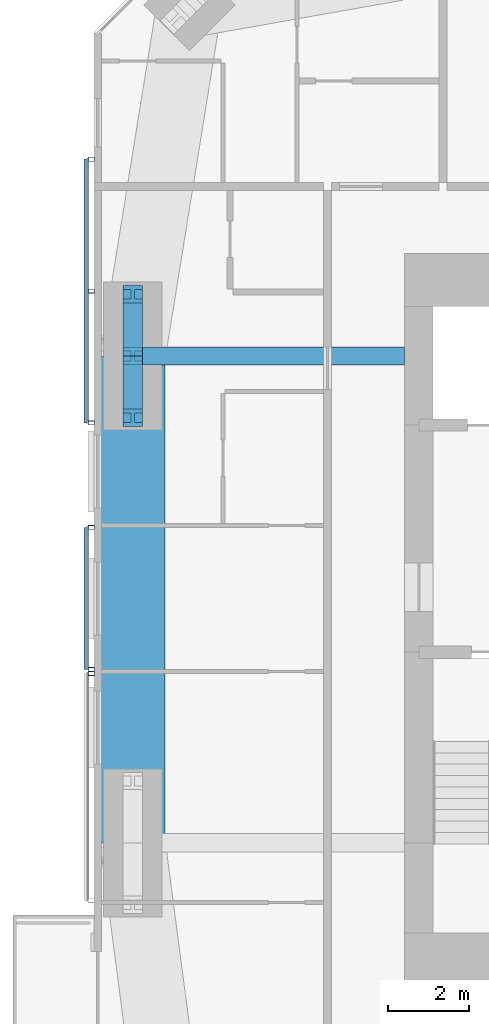
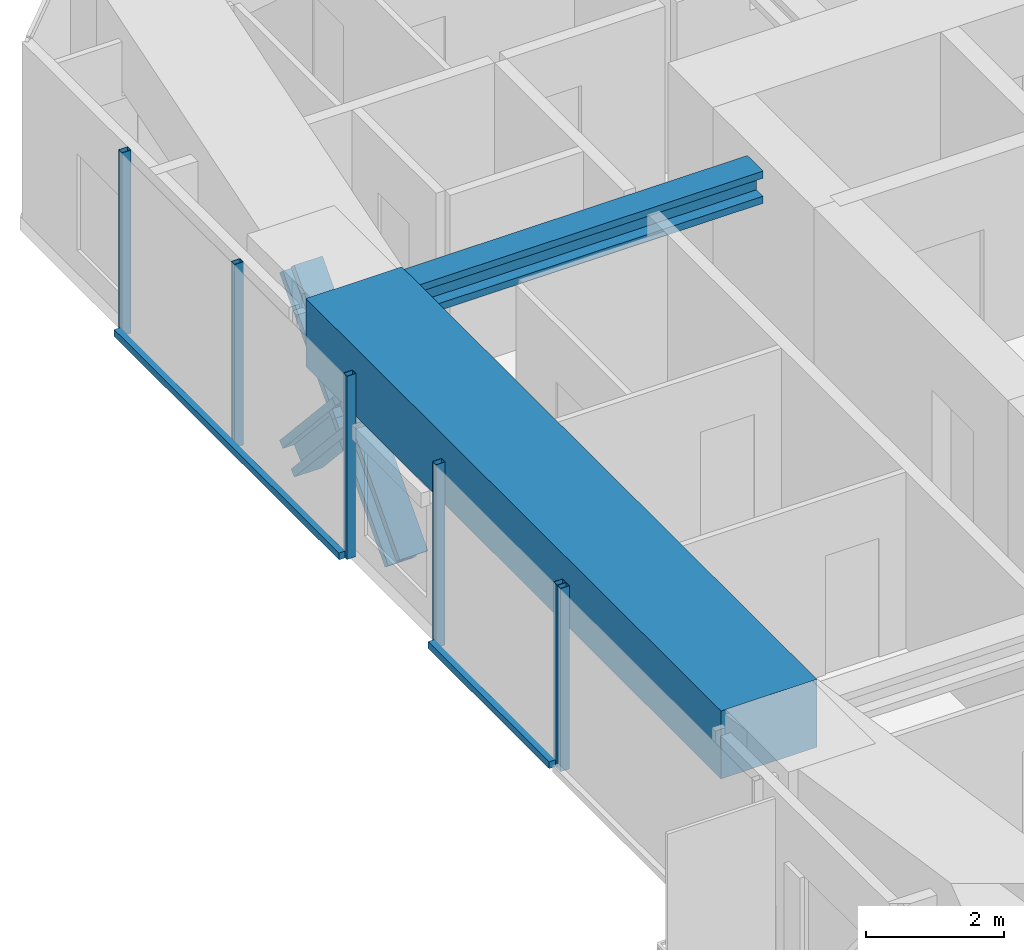
# One storey, part 6 of 23: 12 members, 2 beams, 3 elements without a shape of their own.
"""IFC4 building model written with IfcOpenShell, lengths in metres."""

import ifcopenshell
import ifcopenshell.guid

model = None  # the IFC model being written
_history = None  # IfcOwnerHistory: only IFC2X3 demands one
_inside = {}  # id of a spatial element -> (the spatial element, [elements in it])
_under = {}  # id of a project, library or spatial element -> (it, [spatial elements below it])
_declared = {}  # id of a project -> (the project, [libraries it declares])
_typed = {}  # id of a type object -> (the type object, [elements of that type])
_made_of = {}  # id of a material, layer set ... -> (it, [elements and type objects made of it])


def new_model(schema):
    """Start an empty IFC model of exactly this schema.

    Asked for "IFC4X3", IfcOpenShell would pick the latest addendum, in which some entities
    have other attributes; the version numbers below select the first issue.
    IFC2X3 requires an IfcOwnerHistory on every rooted entity: one is made here for all.
    """
    global model, _history
    if schema == "IFC4X3":
        model = ifcopenshell.file(schema_version=(4, 3, 0, 0))
    else:
        model = ifcopenshell.file(schema=schema)
    _inside.clear()
    _under.clear()
    _declared.clear()
    _typed.clear()
    _made_of.clear()
    _history = None
    if model.schema == "IFC2X3":
        org = make("IfcOrganization", Name="unknown")
        user = make(
            "IfcPersonAndOrganization",
            ThePerson=make("IfcPerson", FamilyName="unknown"),
            TheOrganization=org,
        )
        app = make(
            "IfcApplication",
            ApplicationDeveloper=org,
            Version="unknown",
            ApplicationFullName="unknown",
            ApplicationIdentifier="unknown",
        )
        _history = make(
            "IfcOwnerHistory",
            OwningUser=user,
            OwningApplication=app,
            ChangeAction="ADDED",
            CreationDate=0,
        )
    return model


def make(cls, **values):
    """One entity of the class cls with the attributes given. An attribute that is None is left unset."""
    return model.create_entity(
        cls, **{name: value for name, value in values.items() if value is not None}
    )


def rooted(cls, **values):
    """An entity with a GlobalId (a new one), such as an element, a storey or a relation."""
    return make(cls, GlobalId=ifcopenshell.guid.new(), OwnerHistory=_history, **values)


def si_unit(unit_type, name, prefix=None):
    """IfcSIUnit, for example si_unit("LENGTHUNIT", "METRE", prefix="MILLI")."""
    return make("IfcSIUnit", UnitType=unit_type, Prefix=prefix, Name=name)


def assignment(units):
    """IfcUnitAssignment: the units of a project."""
    return None if units is None else make("IfcUnitAssignment", Units=units)


def point(xyz):
    """IfcCartesianPoint."""
    return None if xyz is None else make("IfcCartesianPoint", Coordinates=xyz)


def direction(xyz):
    """IfcDirection."""
    return None if xyz is None else make("IfcDirection", DirectionRatios=xyz)


def frame(location, z_axis=None, x_axis=None):
    """IfcAxis2Placement3D, a coordinate frame: its origin and axes. An axis left out is left unset."""
    return make(
        "IfcAxis2Placement3D",
        Location=point(location),
        Axis=direction(z_axis),
        RefDirection=direction(x_axis),
    )


def frame_2d(location, x_axis=None):
    """IfcAxis2Placement2D, a coordinate frame in the plane: its origin and x axis."""
    return make(
        "IfcAxis2Placement2D", Location=point(location), RefDirection=direction(x_axis)
    )


def origin():
    """The frame at (0, 0, 0) with its axes left unset."""
    return frame((0.0, 0.0, 0.0))


def origin_2d():
    """The frame at (0, 0) in the plane with its x axis left unset."""
    return frame_2d((0.0, 0.0))


def place(relative_to, where):
    """IfcLocalPlacement: puts the frame where relative to a parent placement (None: the world)."""
    return make(
        "IfcLocalPlacement", PlacementRelTo=relative_to, RelativePlacement=where
    )


def context(
    kind, dimensions, precision=None, world=None, true_north=None, identifier=None
):
    """IfcGeometricRepresentationContext, for example the 3D "Model" context."""
    return make(
        "IfcGeometricRepresentationContext",
        ContextIdentifier=identifier,
        ContextType=kind,
        CoordinateSpaceDimension=dimensions,
        Precision=precision,
        WorldCoordinateSystem=world,
        TrueNorth=true_north,
    )


def subcontext(parent, identifier, kind, view, scale=None):
    """IfcGeometricRepresentationSubContext, for example "Body" below "Model"."""
    return make(
        "IfcGeometricRepresentationSubContext",
        ContextIdentifier=identifier,
        ContextType=kind,
        ParentContext=parent,
        TargetScale=scale,
        TargetView=view,
    )


def project(units=None, contexts=None):
    """IfcProject with its units and contexts."""
    return rooted(
        "IfcProject",
        Name="project",
        RepresentationContexts=contexts,
        UnitsInContext=assignment(units),
    )


def spatial(cls, under=None, at=None, **own):
    """A site, building, storey or space (cls), placed at a placement, below another one or the project."""
    s = rooted(cls, ObjectPlacement=at, **own)
    if under is not None:
        _under.setdefault(under.id(), (under, []))[1].append(s)
    return s


def profile(cls, at=None, kind="AREA", **sizes):
    """A parametric profile (cls). Its sizes go by their IFC names, for example OverallWidth=200.0."""
    return make(cls, ProfileType=kind, Position=at, **sizes)


def rectangle(**sizes):
    """IfcRectangleProfileDef."""
    return profile("IfcRectangleProfileDef", **sizes)


def hollow_rectangle(**sizes):
    """IfcRectangleHollowProfileDef."""
    return profile("IfcRectangleHollowProfileDef", **sizes)


def i_section(**sizes):
    """IfcIShapeProfileDef."""
    return profile("IfcIShapeProfileDef", **sizes)


def extrude(swept, where, along, depth):
    """IfcExtrudedAreaSolid: the profile swept, set in the frame where, extruded along a direction by depth."""
    return make(
        "IfcExtrudedAreaSolid",
        SweptArea=swept,
        Position=where,
        ExtrudedDirection=direction(along),
        Depth=depth,
    )


def shape(context_of_items, identifier, shape_type, items):
    """IfcShapeRepresentation: the items that make up one representation, for example the "Body"."""
    return make(
        "IfcShapeRepresentation",
        ContextOfItems=context_of_items,
        RepresentationIdentifier=identifier,
        RepresentationType=shape_type,
        Items=items,
    )


def material(Name=None, Category=None):
    """IfcMaterial."""
    return make("IfcMaterial", Name=Name, Category=Category)


def material_profile(
    of_material, cross_section, Name=None, Category=None, Priority=None
):
    """IfcMaterialProfile: a cross section and its material."""
    return make(
        "IfcMaterialProfile",
        Name=Name,
        Material=of_material,
        Profile=cross_section,
        Priority=Priority,
        Category=Category,
    )


def profile_set(profiles, Name=None, composite=None):
    """IfcMaterialProfileSet."""
    return make(
        "IfcMaterialProfileSet",
        Name=Name,
        MaterialProfiles=profiles,
        CompositeProfile=composite,
    )


def made_of(thing, what):
    """Note that an element or type object is made of a material, layer set ...; save() writes the relation."""
    if what is not None:
        _made_of.setdefault(what.id(), (what, []))[1].append(thing)
    return thing


def type_object(cls, material=None, **own):
    """A type object (cls), such as IfcWallType, which elements share."""
    return made_of(rooted(cls, **own), material)


def element(
    cls,
    number,
    at=None,
    inside=None,
    cuts=None,
    type_object=None,
    material=None,
    context=None,
    identifier="Body",
    shape_type=None,
    held_by="IfcProductDefinitionShape",
    body=None,
    shapes=None,
    **own,
):
    """One element of the class cls, such as IfcWall. Its Tag is "e" and its number.

    at: its placement. inside: the storey or other place that contains it. cuts: it is an
    opening in that element (IfcRelVoidsElement). A single representation is given by context,
    identifier, shape_type and body (its items); several are given by shapes. held_by: the class
    of the entity that holds the representations. save() writes the other relations.
    """
    e = rooted(cls, Tag="e%d" % number, ObjectPlacement=at, **own)
    if body is not None:
        shapes = [shape(context, identifier, shape_type, body)]
    if shapes is not None:
        e.Representation = make(held_by, Representations=shapes)
    if inside is not None:
        _inside.setdefault(inside.id(), (inside, []))[1].append(e)
    if cuts is not None:
        rooted(
            "IfcRelVoidsElement", RelatingBuildingElement=cuts, RelatedOpeningElement=e
        )
    if type_object is not None:
        _typed.setdefault(type_object.id(), (type_object, []))[1].append(e)
    return made_of(e, material)


def aggregate(whole, parts):
    """IfcRelAggregates: a whole, such as a stair, and the parts it consists of."""
    return rooted("IfcRelAggregates", RelatingObject=whole, RelatedObjects=parts)


def save(model, path):
    """Write the relations noted so far, then the file.

    IfcRelAggregates (storeys below a building ...), IfcRelContainedInSpatialStructure (elements
    in a storey), IfcRelDefinesByType, IfcRelAssociatesMaterial and IfcRelDeclares: one each for
    every whole, place, type object, material and project.
    """
    for whole, parts in _under.values():
        aggregate(whole, parts)
    for where, things in _inside.values():
        rooted(
            "IfcRelContainedInSpatialStructure",
            RelatedElements=things,
            RelatingStructure=where,
        )
    for kind, things in _typed.values():
        rooted("IfcRelDefinesByType", RelatedObjects=things, RelatingType=kind)
    for what, things in _made_of.values():
        rooted("IfcRelAssociatesMaterial", RelatedObjects=things, RelatingMaterial=what)
    for by, libraries in _declared.values():
        rooted("IfcRelDeclares", RelatingContext=by, RelatedDefinitions=libraries)
    model.write(path)


model = new_model("IFC4")

# Units and contexts
model_context = context("Model", 3, precision=1e-05, world=origin(), true_north=direction((0.0, 1.0)))
body_context = subcontext(model_context, "Body", "Model", "MODEL_VIEW")
ifc_project = project(units=[si_unit("LENGTHUNIT", "METRE"), si_unit("AREAUNIT", "SQUARE_METRE"), si_unit("VOLUMEUNIT", "CUBIC_METRE"), si_unit("PLANEANGLEUNIT", "RADIAN"), si_unit("MASSUNIT", "GRAM", prefix="KILO")], contexts=[model_context])

# Site, building, storey
site_placement = place(None, origin())
site = spatial("IfcSite", under=ifc_project, at=site_placement, CompositionType="ELEMENT")
building_placement = place(site_placement, origin())
building = spatial("IfcBuilding", under=site, at=building_placement, Name="Jalousie Tower", CompositionType="ELEMENT")
storey_placement = place(building_placement, frame((0.0, 0.0, 184.5)))
storey = spatial("IfcBuildingStorey", under=building, at=storey_placement, Name="L50", CompositionType="ELEMENT", Elevation=184.5)

# Beam
ifc_material_1 = material(Name="Steel ASTM A992 Grade 50", Category="steel")
ifc_material_profile_1 = material_profile(ifc_material_1, i_section(OverallWidth=0.45458984375, OverallDepth=0.569091796875, WebThickness=0.077880859375, FlangeThickness=0.124755859375, at=origin_2d()), Name="W14X730")
ifc_profile_set_1 = profile_set([ifc_material_profile_1], Name="Steel ASTM A992 Grade 50")
beam_type_1 = type_object("IfcBeamType", Name="LEAN COLLECTOR W14X730", PredefinedType="BEAM", material=ifc_profile_set_1)
beam_1_placement = place(storey_placement, frame((12.949951171875, 25.0, 2.825439453125), z_axis=(1.0, 0.0, 0.0), x_axis=(0.0, 1.0, 0.0)))
element("IfcBeam", 1, at=beam_1_placement, inside=storey, type_object=beam_type_1, Name="Lean collector under L51", PredefinedType="BEAM", context=body_context, shape_type="SweptSolid", body=[
    extrude(i_section(OverallWidth=0.45458984375, OverallDepth=0.569091796875, WebThickness=0.077880859375, FlangeThickness=0.124755859375, at=origin_2d()), origin(), (0.0, 0.0, 1.0), 6.699951171875),
])

# Members
ifc_material_2 = material(Name="Steel ASTM A992 Grade 50", Category="steel")
ifc_material_profile_2 = material_profile(ifc_material_2, i_section(OverallWidth=0.472412109375, OverallDepth=0.5791015625, WebThickness=0.094970703125, FlangeThickness=0.1298828125, at=origin_2d()), Name="W14X808")
ifc_profile_set_2 = profile_set([ifc_material_profile_2], Name="Steel ASTM A992 Grade 50")
member_type_1 = type_object("IfcMemberType", Name="PERIMETER BRACE W14X808", PredefinedType="BRACE", material=ifc_profile_set_2)
for number, where, z_axis, x_axis, name in (
    (2, (12.949951171875, 23.47509765625, -0.60009765625), (0.0, 0.673187629365, 0.739471713908), (-1.0, 0.0, 0.0), "Perimeter brace 13 L50 part 1"),
    (3, (12.949951171875, 25.0, 1.074951171875), (0.0, 0.673187629365, 0.739471713908), (-1.0, 0.0, 0.0), "Perimeter brace 13 L50 part 2"),
    (4, (12.949951171875, 26.52490234375, -0.60009765625), (0.0, -0.673187629365, 0.739471713908), (1.0, 0.0, 0.0), "Perimeter brace 13 L50 part 3"),
    (5, (12.949951171875, 25.0, 1.074951171875), (0.0, -0.673187629365, 0.739471713908), (1.0, 0.0, 0.0), "Perimeter brace 13 L50 part 4"),
):
    element("IfcMember", number, at=place(storey_placement, frame(where, z_axis=z_axis, x_axis=x_axis)), inside=storey, type_object=member_type_1, Name=name, PredefinedType="BRACE", context=body_context, shape_type="SweptSolid", body=[
        extrude(i_section(OverallWidth=0.472412109375, OverallDepth=0.5791015625, WebThickness=0.094970703125, FlangeThickness=0.1298828125, at=origin_2d()), origin(), (0.0, 0.0, 1.0), 2.26513671875),
    ])

# Beam
ifc_material_3 = material(Name="Concrete f'c 40 MPa", Category="concrete")
ifc_material_profile_3 = material_profile(ifc_material_3, rectangle(XDim=1.60009765625, YDim=1.199951171875, at=origin_2d()), Name="RC 1600x1200")
ifc_profile_set_3 = profile_set([ifc_material_profile_3], Name="Concrete f'c 40 MPa")
beam_type_2 = type_object("IfcBeamType", Name="RC BEAM 1600x1200", PredefinedType="BEAM", material=ifc_profile_set_3)
beam_2_placement = place(storey_placement, frame((12.949951171875, 25.0, 2.75), z_axis=(0.0, -1.0, 0.0), x_axis=(1.0, 0.0, 0.0)))
element("IfcBeam", 6, at=beam_2_placement, inside=storey, type_object=beam_type_2, Name="Edge band beam 13-14 under L51", PredefinedType="BEAM", context=body_context, shape_type="SweptSolid", body=[
    extrude(rectangle(XDim=1.60009765625, YDim=1.199951171875, at=origin_2d()), origin(), (0.0, 0.0, 1.0), 12.0),
])

# Curtain wall, members
ifc_material_4 = material(Name="Perforated aluminium sheet", Category="aluminium")
curtain_wall_type = type_object("IfcCurtainWallType", Name="SOLAR SCREEN SS-1", PredefinedType="USERDEFINED", material=ifc_material_4)
curtain_wall_1_placement = place(storey_placement, origin())
curtain_wall_1 = element("IfcCurtainWall", 7, at=curtain_wall_1_placement, inside=storey, type_object=curtain_wall_type, Name="Solar screen L50", ObjectType="SOLAR SCREEN SS-1", PredefinedType="USERDEFINED")
ifc_material_5 = material(Name="Steel ASTM A500 Grade C", Category="steel")
ifc_material_profile_4 = material_profile(ifc_material_5, hollow_rectangle(XDim=0.1015625, YDim=0.15234375, WallThickness=0.00634765625, at=origin_2d()), Name="HSS6X4X1/4")
ifc_profile_set_4 = profile_set([ifc_material_profile_4], Name="Steel ASTM A500 Grade C")
member_type_2 = type_object("IfcMemberType", Name="SOLAR SCREEN SS-1 MULLION", PredefinedType="MULLION", material=ifc_profile_set_4)
member_1_placement = place(storey_placement, frame((11.9287109375, 29.85009765625, -0.1201171875), z_axis=(0.0, 0.0, 1.0), x_axis=(0.0, -1.0, 0.0)))
member_1 = element("IfcMember", 8, at=member_1_placement, type_object=member_type_2, Name="SS1 post 1", PredefinedType="MULLION", context=body_context, shape_type="SweptSolid", body=[
    extrude(hollow_rectangle(XDim=0.1015625, YDim=0.15234375, WallThickness=0.00634765625, at=origin_2d()), origin(), (0.0, 0.0, 1.0), 3.230224609375),
])
member_2_placement = place(storey_placement, frame((11.9287109375, 26.60009765625, -0.1201171875), z_axis=(0.0, 0.0, 1.0), x_axis=(0.0, -1.0, 0.0)))
member_2 = element("IfcMember", 9, at=member_2_placement, type_object=member_type_2, Name="SS1 post 2", PredefinedType="MULLION", context=body_context, shape_type="SweptSolid", body=[
    extrude(hollow_rectangle(XDim=0.1015625, YDim=0.15234375, WallThickness=0.00634765625, at=origin_2d()), origin(), (0.0, 0.0, 1.0), 3.230224609375),
])
member_3_placement = place(storey_placement, frame((11.9287109375, 23.35009765625, -0.1201171875), z_axis=(0.0, 0.0, 1.0), x_axis=(0.0, -1.0, 0.0)))
member_3 = element("IfcMember", 10, at=member_3_placement, type_object=member_type_2, Name="SS1 post 3", PredefinedType="MULLION", context=body_context, shape_type="SweptSolid", body=[
    extrude(hollow_rectangle(XDim=0.1015625, YDim=0.15234375, WallThickness=0.00634765625, at=origin_2d()), origin(), (0.0, 0.0, 1.0), 3.230224609375),
])

curtain_wall_2_placement = place(storey_placement, origin())
curtain_wall_2 = element("IfcCurtainWall", 11, at=curtain_wall_2_placement, inside=storey, type_object=curtain_wall_type, Name="Solar screen L50", ObjectType="SOLAR SCREEN SS-1", PredefinedType="USERDEFINED")
member_4_placement = place(storey_placement, frame((11.9287109375, 20.77490234375, -0.1201171875), z_axis=(0.0, 0.0, 1.0), x_axis=(0.0, -1.0, 0.0)))
member_4 = element("IfcMember", 12, at=member_4_placement, type_object=member_type_2, Name="SS1 post 1", PredefinedType="MULLION", context=body_context, shape_type="SweptSolid", body=[
    extrude(hollow_rectangle(XDim=0.1015625, YDim=0.15234375, WallThickness=0.00634765625, at=origin_2d()), origin(), (0.0, 0.0, 1.0), 3.230224609375),
])
member_5_placement = place(storey_placement, frame((11.9287109375, 17.27490234375, -0.1201171875), z_axis=(0.0, 0.0, 1.0), x_axis=(0.0, -1.0, 0.0)))
member_5 = element("IfcMember", 13, at=member_5_placement, type_object=member_type_2, Name="SS1 post 2", PredefinedType="MULLION", context=body_context, shape_type="SweptSolid", body=[
    extrude(hollow_rectangle(XDim=0.1015625, YDim=0.15234375, WallThickness=0.00634765625, at=origin_2d()), origin(), (0.0, 0.0, 1.0), 3.230224609375),
])

# Curtain wall, member
curtain_wall_3_placement = place(storey_placement, origin())
curtain_wall_3 = element("IfcCurtainWall", 14, at=curtain_wall_3_placement, inside=storey, type_object=curtain_wall_type, Name="Solar screen L50", ObjectType="SOLAR SCREEN SS-1", PredefinedType="USERDEFINED")
member_6_placement = place(storey_placement, frame((11.9287109375, 17.175048828125, -0.1201171875), z_axis=(0.0, 0.0, 1.0), x_axis=(0.0, -1.0, 0.0)))
member_6 = element("IfcMember", 15, at=member_6_placement, type_object=member_type_2, Name="SS1 post 1", PredefinedType="MULLION", context=body_context, shape_type="SweptSolid", body=[
    extrude(hollow_rectangle(XDim=0.1015625, YDim=0.15234375, WallThickness=0.00634765625, at=origin_2d()), origin(), (0.0, 0.0, 1.0), 3.230224609375),
])
aggregate(curtain_wall_3, [member_6])

# Member
ifc_material_6 = material(Name="Extruded aluminium screen rail", Category="aluminium")
ifc_material_profile_5 = material_profile(ifc_material_6, rectangle(XDim=0.1015625, YDim=0.1201171875, at=origin_2d()), Name="RAIL 102x120")
ifc_profile_set_5 = profile_set([ifc_material_profile_5], Name="Extruded aluminium screen rail")
member_type_3 = type_object("IfcMemberType", Name="SOLAR SCREEN SS-1 TRANSOM", PredefinedType="USERDEFINED", material=ifc_profile_set_5)
member_7_placement = place(storey_placement, frame((11.8017578125, 29.85009765625, -0.06005859375), z_axis=(0.0, -1.0, 0.0), x_axis=(1.0, 0.0, 0.0)))
member_7 = element("IfcMember", 16, at=member_7_placement, type_object=member_type_3, Name="SS1 rail", ObjectType="TRANSOM", PredefinedType="USERDEFINED", context=body_context, shape_type="SweptSolid", body=[
    extrude(rectangle(XDim=0.1015625, YDim=0.1201171875, at=origin_2d()), origin(), (0.0, 0.0, 1.0), 6.5),
])

aggregate(curtain_wall_1, [member_1, member_2, member_3, member_7])

member_8_placement = place(storey_placement, frame((11.8017578125, 20.77490234375, -0.06005859375), z_axis=(0.0, -1.0, 0.0), x_axis=(1.0, 0.0, 0.0)))
member_8 = element("IfcMember", 17, at=member_8_placement, type_object=member_type_3, Name="SS1 rail", ObjectType="TRANSOM", PredefinedType="USERDEFINED", context=body_context, shape_type="SweptSolid", body=[
    extrude(rectangle(XDim=0.1015625, YDim=0.1201171875, at=origin_2d()), origin(), (0.0, 0.0, 1.0), 3.5),
])

aggregate(curtain_wall_2, [member_4, member_5, member_8])

save(model, "model.ifc")
